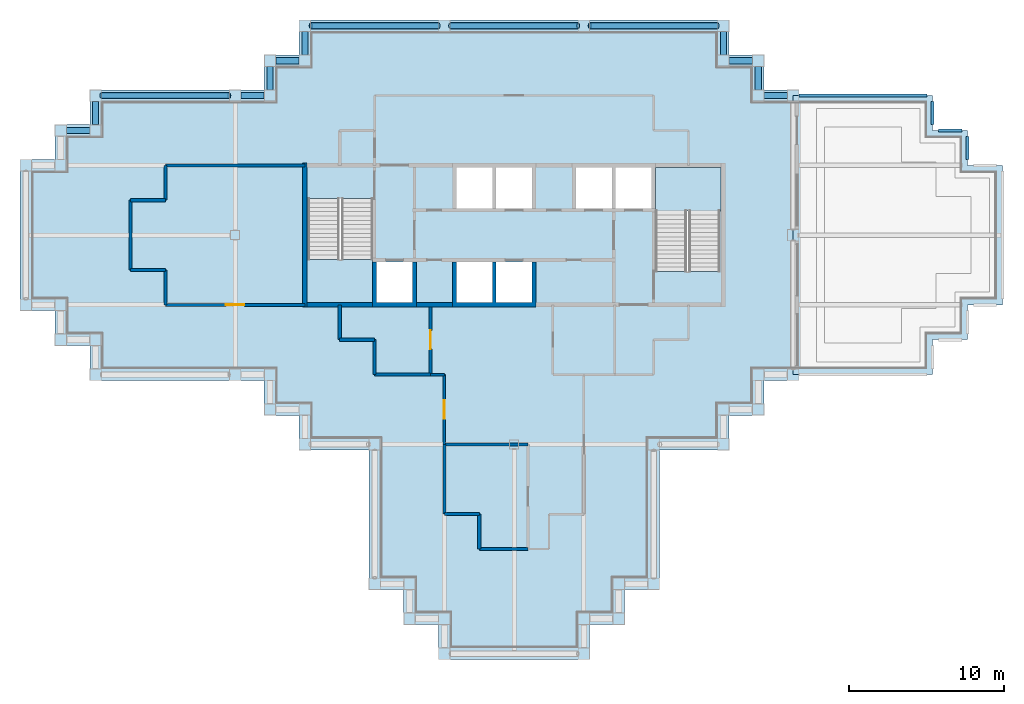
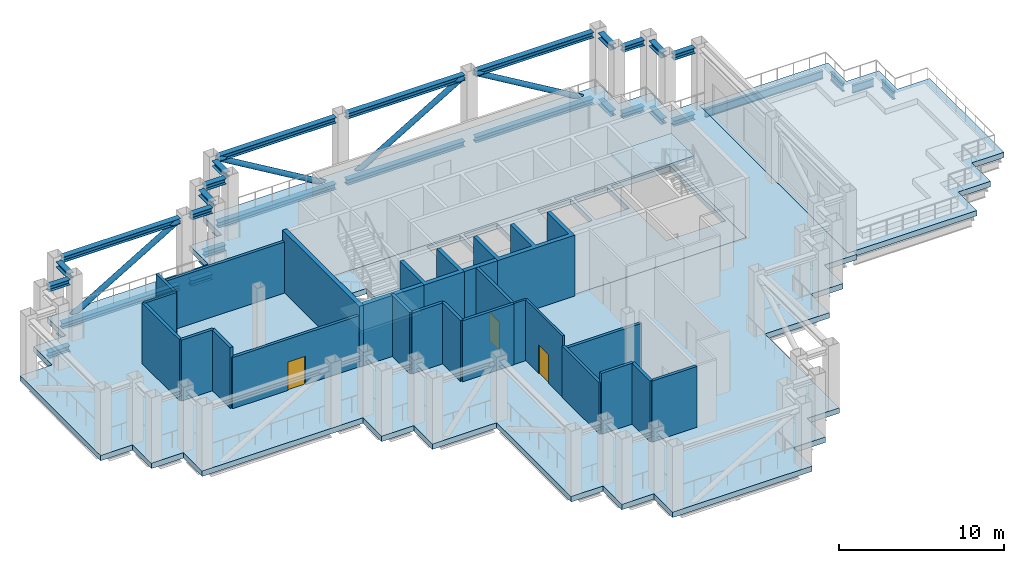
# One storey, part 2 of 10: 32 beams, 24 walls, 5 slabs, 4 members, 3 doors, 3 openings, 2 elements without a shape of their own.
"""IFC4 building model written with IfcOpenShell, lengths in metres."""

from ifc_helpers import new_model, si_unit, direction, frame, frame_2d, origin, origin_2d, place, context, subcontext, project, spatial, polyline, rectangle, hollow_circle, i_section, outline, extrude, material, layer, layer_set, material_profile, profile_set, type_object, element, fill, aggregate, save


model = new_model("IFC4")

# Units and contexts
model_context = context("Model", 3, precision=1e-05, world=origin(), true_north=direction((0.0, 1.0)))
body_context = subcontext(model_context, "Body", "Model", "MODEL_VIEW")
ifc_project = project(units=[si_unit("LENGTHUNIT", "METRE"), si_unit("AREAUNIT", "SQUARE_METRE"), si_unit("VOLUMEUNIT", "CUBIC_METRE"), si_unit("PLANEANGLEUNIT", "RADIAN"), si_unit("MASSUNIT", "GRAM", prefix="KILO")], contexts=[model_context])

# Site, building, storey
site_placement = place(None, origin())
site = spatial("IfcSite", under=ifc_project, at=site_placement, CompositionType="ELEMENT")
building_placement = place(site_placement, origin())
building = spatial("IfcBuilding", under=site, at=building_placement, Name="Caravel Reach Hotel and Residences", CompositionType="ELEMENT")
storey_placement = place(building_placement, frame((0.0, 0.0, 187.60009765625)))
storey = spatial("IfcBuildingStorey", under=building, at=storey_placement, Name="L47", CompositionType="ELEMENT", Elevation=187.60009765625)

# Beams
ifc_material_1 = material(Name="Structural steel Q355B", Category="steel")
ifc_material_profile_1 = material_profile(ifc_material_1, i_section(OverallWidth=0.39990234375, OverallDepth=0.39990234375, WebThickness=0.012939453125, FlangeThickness=0.02099609375, FilletRadius=0.02197265625, at=origin_2d()), Name="HW 400x400x13x21")
ifc_profile_set_1 = profile_set([ifc_material_profile_1], Name="Structural steel Q355B")
beam_type_1 = type_object("IfcBeamType", Name="Beam HW 400x400x13x21", PredefinedType="BEAM", material=ifc_profile_set_1)
for number, where, z_axis, x_axis, name in (
    (1, (49.125, 36.0, -0.60009765625), (-1.0, 0.0, 0.0), (0.0, -1.0, 0.0), "Belt truss BT-L47 bottom chord"),
    (2, (49.125, 36.0, 4.2998046875), (-1.0, 0.0, 0.0), (0.0, -1.0, 0.0), "Belt truss BT-L47 top chord"),
    (3, (47.25, 36.375, -0.60009765625), (0.0, 1.0, 0.0), (-1.0, 0.0, 0.0), "Belt truss BT-L47 bottom chord"),
    (4, (47.25, 36.375, 4.2998046875), (0.0, 1.0, 0.0), (-1.0, 0.0, 0.0), "Belt truss BT-L47 top chord"),
    (5, (46.875, 38.25, -0.60009765625), (-1.0, 0.0, 0.0), (0.0, -1.0, 0.0), "Belt truss BT-L47 bottom chord"),
    (6, (46.875, 38.25, 4.2998046875), (-1.0, 0.0, 0.0), (0.0, -1.0, 0.0), "Belt truss BT-L47 top chord"),
    (7, (45.0, 38.625, -0.60009765625), (0.0, 1.0, 0.0), (-1.0, 0.0, 0.0), "Belt truss BT-L47 bottom chord"),
    (8, (45.0, 38.625, 4.2998046875), (0.0, 1.0, 0.0), (-1.0, 0.0, 0.0), "Belt truss BT-L47 top chord"),
):
    element("IfcBeam", number, at=place(storey_placement, frame(where, z_axis=z_axis, x_axis=x_axis)), inside=storey, type_object=beam_type_1, Name=name, PredefinedType="BEAM", context=body_context, shape_type="SweptSolid", body=[
        extrude(i_section(OverallWidth=0.39990234375, OverallDepth=0.39990234375, WebThickness=0.012939453125, FlangeThickness=0.02099609375, FilletRadius=0.02197265625, at=origin_2d()), origin(), (0.0, 0.0, 1.0), 1.5),
    ])
for number, where, z_axis, x_axis, name in (
    (9, (44.625, 40.5, -0.60009765625), (-1.0, 0.0, 0.0), (0.0, -1.0, 0.0), "Belt truss BT-L47 bottom chord"),
    (10, (44.625, 40.5, 4.2998046875), (-1.0, 0.0, 0.0), (0.0, -1.0, 0.0), "Belt truss BT-L47 top chord"),
    (11, (35.625, 40.5, -0.60009765625), (-1.0, 0.0, 0.0), (0.0, -1.0, 0.0), "Belt truss BT-L47 bottom chord"),
    (12, (35.625, 40.5, 4.2998046875), (-1.0, 0.0, 0.0), (0.0, -1.0, 0.0), "Belt truss BT-L47 top chord"),
    (13, (26.625, 40.5, -0.60009765625), (-1.0, 0.0, 0.0), (0.0, -1.0, 0.0), "Belt truss BT-L47 bottom chord"),
    (14, (26.625, 40.5, 4.2998046875), (-1.0, 0.0, 0.0), (0.0, -1.0, 0.0), "Belt truss BT-L47 top chord"),
):
    element("IfcBeam", number, at=place(storey_placement, frame(where, z_axis=z_axis, x_axis=x_axis)), inside=storey, type_object=beam_type_1, Name=name, PredefinedType="BEAM", context=body_context, shape_type="SweptSolid", body=[
        extrude(i_section(OverallWidth=0.39990234375, OverallDepth=0.39990234375, WebThickness=0.012939453125, FlangeThickness=0.02099609375, FilletRadius=0.02197265625, at=origin_2d()), origin(), (0.0, 0.0, 1.0), 8.25),
    ])
for number, where, z_axis, x_axis, name in (
    (15, (18.0, 40.125, -0.60009765625), (0.0, -1.0, 0.0), (1.0, 0.0, 0.0), "Belt truss BT-L47 bottom chord"),
    (16, (18.0, 40.125, 4.2998046875), (0.0, -1.0, 0.0), (1.0, 0.0, 0.0), "Belt truss BT-L47 top chord"),
    (17, (17.625, 38.25, -0.60009765625), (-1.0, 0.0, 0.0), (0.0, -1.0, 0.0), "Belt truss BT-L47 bottom chord"),
    (18, (17.625, 38.25, 4.2998046875), (-1.0, 0.0, 0.0), (0.0, -1.0, 0.0), "Belt truss BT-L47 top chord"),
    (19, (15.75, 37.875, -0.60009765625), (0.0, -1.0, 0.0), (1.0, 0.0, 0.0), "Belt truss BT-L47 bottom chord"),
    (20, (15.75, 37.875, 4.2998046875), (0.0, -1.0, 0.0), (1.0, 0.0, 0.0), "Belt truss BT-L47 top chord"),
    (21, (15.375, 36.0, -0.60009765625), (-1.0, 0.0, 0.0), (0.0, -1.0, 0.0), "Belt truss BT-L47 bottom chord"),
    (22, (15.375, 36.0, 4.2998046875), (-1.0, 0.0, 0.0), (0.0, -1.0, 0.0), "Belt truss BT-L47 top chord"),
):
    element("IfcBeam", number, at=place(storey_placement, frame(where, z_axis=z_axis, x_axis=x_axis)), inside=storey, type_object=beam_type_1, Name=name, PredefinedType="BEAM", context=body_context, shape_type="SweptSolid", body=[
        extrude(i_section(OverallWidth=0.39990234375, OverallDepth=0.39990234375, WebThickness=0.012939453125, FlangeThickness=0.02099609375, FilletRadius=0.02197265625, at=origin_2d()), origin(), (0.0, 0.0, 1.0), 1.5),
    ])
for number, where, z_axis, x_axis, name in (
    (23, (13.125, 36.0, -0.60009765625), (-1.0, 0.0, 0.0), (0.0, -1.0, 0.0), "Belt truss BT-L47 bottom chord"),
    (24, (13.125, 36.0, 4.2998046875), (-1.0, 0.0, 0.0), (0.0, -1.0, 0.0), "Belt truss BT-L47 top chord"),
):
    element("IfcBeam", number, at=place(storey_placement, frame(where, z_axis=z_axis, x_axis=x_axis)), inside=storey, type_object=beam_type_1, Name=name, PredefinedType="BEAM", context=body_context, shape_type="SweptSolid", body=[
        extrude(i_section(OverallWidth=0.39990234375, OverallDepth=0.39990234375, WebThickness=0.012939453125, FlangeThickness=0.02099609375, FilletRadius=0.02197265625, at=origin_2d()), origin(), (0.0, 0.0, 1.0), 8.25),
    ])
for number, where, z_axis, x_axis, name in (
    (25, (4.5, 35.625, -0.60009765625), (0.0, -1.0, 0.0), (1.0, 0.0, 0.0), "Belt truss BT-L47 bottom chord"),
    (26, (4.5, 35.625, 4.2998046875), (0.0, -1.0, 0.0), (1.0, 0.0, 0.0), "Belt truss BT-L47 top chord"),
    (27, (4.125, 33.75, -0.60009765625), (-1.0, 0.0, 0.0), (0.0, -1.0, 0.0), "Belt truss BT-L47 bottom chord"),
    (28, (4.125, 33.75, 4.2998046875), (-1.0, 0.0, 0.0), (0.0, -1.0, 0.0), "Belt truss BT-L47 top chord"),
):
    element("IfcBeam", number, at=place(storey_placement, frame(where, z_axis=z_axis, x_axis=x_axis)), inside=storey, type_object=beam_type_1, Name=name, PredefinedType="BEAM", context=body_context, shape_type="SweptSolid", body=[
        extrude(i_section(OverallWidth=0.39990234375, OverallDepth=0.39990234375, WebThickness=0.012939453125, FlangeThickness=0.02099609375, FilletRadius=0.02197265625, at=origin_2d()), origin(), (0.0, 0.0, 1.0), 1.5),
    ])

# Members
ifc_material_2 = material(Name="Structural steel Q390B", Category="steel")
ifc_material_profile_2 = material_profile(ifc_material_2, hollow_circle(Radius=0.1884765625, WallThickness=0.013916015625, at=origin_2d()), Name="CHS 377x14")
ifc_profile_set_2 = profile_set([ifc_material_profile_2], Name="Structural steel Q390B")
member_type = type_object("IfcMemberType", Name="Brace CHS 377x14", PredefinedType="BRACE", material=ifc_profile_set_2)
for number, where, z_axis, x_axis, name in (
    (29, (44.625, 40.5, -0.60009765625), (-0.859787719832, 0.0, 0.510651619822), (0.0, -1.0, 0.0), "Belt truss BT-L47 diagonal"),
    (30, (27.375, 40.5, -0.60009765625), (0.859787719832, 0.0, 0.510651619822), (0.0, 1.0, 0.0), "Belt truss BT-L47 diagonal"),
    (31, (26.625, 40.5, -0.60009765625), (-0.859787719832, 0.0, 0.510651619822), (0.0, -1.0, 0.0), "Belt truss BT-L47 diagonal"),
    (32, (4.875, 36.0, -0.60009765625), (0.859787719832, 0.0, 0.510651619822), (0.0, 1.0, 0.0), "Belt truss BT-L47 diagonal"),
):
    element("IfcMember", number, at=place(storey_placement, frame(where, z_axis=z_axis, x_axis=x_axis)), inside=storey, type_object=member_type, Name=name, PredefinedType="BRACE", context=body_context, shape_type="SweptSolid", body=[
        extrude(hollow_circle(Radius=0.1884765625, WallThickness=0.013916015625, at=origin_2d()), origin(), (0.0, 0.0, 1.0), 9.595458984375),
    ])

# Beams
ifc_material_3 = material(Name="Structural steel Q355B", Category="steel")
ifc_material_profile_3 = material_profile(ifc_material_3, i_section(OverallWidth=0.199951171875, OverallDepth=0.60009765625, WebThickness=0.010986328125, FlangeThickness=0.01708984375, FilletRadius=0.012939453125, at=origin_2d()), Name="HN 600x200x11x17")
ifc_profile_set_3 = profile_set([ifc_material_profile_3], Name="Structural steel Q355B")
beam_type_2 = type_object("IfcBeamType", Name="Edge beam HN 600x200x11x17", PredefinedType="USERDEFINED", material=ifc_profile_set_3)
beam_placement = place(storey_placement, frame((58.125, 36.0, -0.7001953125), z_axis=(-1.0, 0.0, 0.0), x_axis=(0.0, -1.0, 0.0)))
element("IfcBeam", 33, at=beam_placement, inside=storey, type_object=beam_type_2, Name="EB1 HN 600x200x11x17", ObjectType="Edge beam", PredefinedType="USERDEFINED", context=body_context, shape_type="SweptSolid", body=[
    extrude(i_section(OverallWidth=0.199951171875, OverallDepth=0.60009765625, WebThickness=0.010986328125, FlangeThickness=0.01708984375, FilletRadius=0.012939453125, at=origin_2d()), origin(), (0.0, 0.0, 1.0), 8.25),
])
for number, where, z_axis, x_axis, name in (
    (34, (60.75, 31.875, -0.7001953125), (0.0, 1.0, 0.0), (-1.0, 0.0, 0.0), "EB1 HN 600x200x11x17"),
    (35, (60.375, 33.75, -0.7001953125), (-1.0, 0.0, 0.0), (0.0, -1.0, 0.0), "EB1 HN 600x200x11x17"),
    (36, (58.5, 34.125, -0.7001953125), (0.0, 1.0, 0.0), (-1.0, 0.0, 0.0), "EB1 HN 600x200x11x17"),
):
    element("IfcBeam", number, at=place(storey_placement, frame(where, z_axis=z_axis, x_axis=x_axis)), inside=storey, type_object=beam_type_2, Name=name, ObjectType="Edge beam", PredefinedType="USERDEFINED", context=body_context, shape_type="SweptSolid", body=[
        extrude(i_section(OverallWidth=0.199951171875, OverallDepth=0.60009765625, WebThickness=0.010986328125, FlangeThickness=0.01708984375, FilletRadius=0.012939453125, at=origin_2d()), origin(), (0.0, 0.0, 1.0), 1.5),
    ])

# Slab
ifc_material_4 = material(Name="Concrete C40", Category="concrete")
ifc_layer_1 = layer(ifc_material_4, 0.39990234375)
ifc_layer_set_1 = layer_set([ifc_layer_1], Name="Core floor slab 400 mm")
slab_type_1 = type_object("IfcSlabType", Name="Core floor slab 400 mm", PredefinedType="FLOOR", material=ifc_layer_set_1)
slab_1_placement = place(storey_placement, frame((0.0, 0.0, -0.400146484375)))
element("IfcSlab", 37, at=slab_1_placement, inside=storey, type_object=slab_type_1, Name="L47 core floor", PredefinedType="FLOOR", context=body_context, shape_type="SweptSolid", body=[
    extrude(outline(polyline([(18.0, 31.5), (45.0, 31.5), (45.0, 22.5), (18.0, 22.5), (18.0, 31.5)]), holes=[polyline([(22.625, 25.27490234375), (22.625, 22.64990234375), (24.9462890625, 22.64990234375), (24.9462890625, 25.27490234375), (22.625, 25.27490234375)]), polyline([(27.767822265625, 25.27490234375), (27.767822265625, 22.64990234375), (30.08935546875, 22.64990234375), (30.08935546875, 25.27490234375), (27.767822265625, 25.27490234375)]), polyline([(30.33935546875, 25.27490234375), (30.33935546875, 22.64990234375), (32.66064453125, 22.64990234375), (32.66064453125, 25.27490234375), (30.33935546875, 25.27490234375)]), polyline([(22.375, 22.64990234375), (22.375, 29.35009765625), (18.22509765625, 29.35009765625), (18.22509765625, 22.64990234375), (22.375, 22.64990234375)]), polyline([(40.625, 31.35009765625), (40.625, 24.64990234375), (44.77490234375, 24.64990234375), (44.77490234375, 31.35009765625), (40.625, 31.35009765625)]), polyline([(27.767822265625, 31.35009765625), (27.767822265625, 28.72509765625), (30.08935546875, 28.72509765625), (30.08935546875, 31.35009765625), (27.767822265625, 31.35009765625)]), polyline([(30.33935546875, 31.35009765625), (30.33935546875, 28.72509765625), (32.66064453125, 28.72509765625), (32.66064453125, 31.35009765625), (30.33935546875, 31.35009765625)]), polyline([(37.8037109375, 31.35009765625), (35.482177734375, 31.35009765625), (35.482177734375, 28.72509765625), (37.8037109375, 28.72509765625), (37.8037109375, 31.35009765625)]), polyline([(40.375, 31.35009765625), (38.0537109375, 31.35009765625), (38.0537109375, 28.72509765625), (40.375, 28.72509765625), (40.375, 31.35009765625)])]), origin(), (0.0, 0.0, 1.0), 0.400146484375),
])

# Stair, slab
ifc_material_5 = material(Name="Concrete C40", Category="concrete")
stair_type = type_object("IfcStairType", Name="Core stair", PredefinedType="HALF_TURN_STAIR", material=ifc_material_5)
stair_1_placement = place(storey_placement, origin())
stair_1 = element("IfcStair", 38, at=stair_1_placement, inside=storey, type_object=stair_type, Name="L47 Exit stair A", PredefinedType="HALF_TURN_STAIR")
ifc_material_6 = material(Name="Concrete C40", Category="concrete")
ifc_layer_2 = layer(ifc_material_6, 0.199951171875)
ifc_layer_set_2 = layer_set([ifc_layer_2], Name="Core stair landing")
slab_type_2 = type_object("IfcSlabType", Name="Core stair landing", PredefinedType="LANDING", material=ifc_layer_set_2)
slab_2_placement = place(storey_placement, frame((0.0, 0.0, 2.199951171875)))
slab_2 = element("IfcSlab", 39, at=slab_2_placement, type_object=slab_type_2, Name="ST-A landing 1", PredefinedType="LANDING", context=body_context, shape_type="SweptSolid", body=[
    extrude(outline(polyline([(18.14990234375, 25.429931640625), (18.14990234375, 22.64990234375), (22.375, 22.64990234375), (22.375, 25.429931640625), (18.14990234375, 25.429931640625)])), origin(), (0.0, 0.0, 1.0), 0.199951171875),
])
aggregate(stair_1, [slab_2])

stair_2_placement = place(storey_placement, origin())
stair_2 = element("IfcStair", 40, at=stair_2_placement, inside=storey, type_object=stair_type, Name="L47 Exit stair B", PredefinedType="HALF_TURN_STAIR")
slab_3_placement = place(storey_placement, frame((0.0, 0.0, 2.199951171875)))
slab_3 = element("IfcSlab", 41, at=slab_3_placement, type_object=slab_type_2, Name="ST-B landing 1", PredefinedType="LANDING", context=body_context, shape_type="SweptSolid", body=[
    extrude(outline(polyline([(44.85009765625, 28.570068359375), (44.85009765625, 31.35009765625), (40.625, 31.35009765625), (40.625, 28.570068359375), (44.85009765625, 28.570068359375)])), origin(), (0.0, 0.0, 1.0), 0.199951171875),
])
aggregate(stair_2, [slab_3])

# Slabs
ifc_material_7 = material(Name="Concrete C40 post-tensioned", Category="concrete")
ifc_layer_3 = layer(ifc_material_7, 0.39990234375)
ifc_layer_set_3 = layer_set([ifc_layer_3], Name="Floor slab 400")
slab_type_3 = type_object("IfcSlabType", Name="Floor slab 400", PredefinedType="FLOOR", material=ifc_layer_set_3)
slab_4_placement = place(storey_placement, frame((0.0, 0.0, -0.400146484375)))
element("IfcSlab", 42, at=slab_4_placement, inside=storey, type_object=slab_type_3, Name="S4 slab L47", PredefinedType="FLOOR", context=body_context, shape_type="SweptSolid", body=[
    extrude(outline(polyline([(49.875, 18.0), (49.875, 17.625), (47.625, 17.625), (47.625, 15.375), (45.375, 15.375), (45.375, 13.125), (40.875, 13.125), (40.875, 4.125), (38.625, 4.125), (38.625, 1.875), (36.375, 1.875), (36.375, -0.375), (26.625, -0.375), (26.625, 1.875), (24.375, 1.875), (24.375, 4.125), (22.125, 4.125), (22.125, 13.125), (17.625, 13.125), (17.625, 15.375), (15.375, 15.375), (15.375, 17.625), (4.125, 17.625), (4.125, 19.875), (1.875, 19.875), (1.875, 22.125), (-0.375, 22.125), (-0.375, 31.875), (1.875, 31.875), (1.875, 34.125), (4.125, 34.125), (4.125, 36.375), (15.375, 36.375), (15.375, 38.625), (17.625, 38.625), (17.625, 40.875), (45.375, 40.875), (45.375, 38.625), (47.625, 38.625), (47.625, 36.375), (49.875, 36.375), (49.875, 36.0), (49.5, 36.0), (49.5, 18.0), (49.875, 18.0)]), holes=[polyline([(45.0, 31.5), (18.0, 31.5), (18.0, 22.5), (45.0, 22.5), (45.0, 31.5)])]), origin(), (0.0, 0.0, 1.0), 0.400146484375),
])
ifc_material_8 = material(Name="Concrete C40", Category="concrete")
ifc_layer_4 = layer(ifc_material_8, 0.39990234375)
ifc_layer_set_4 = layer_set([ifc_layer_4], Name="Roof terrace slab 400")
slab_type_4 = type_object("IfcSlabType", Name="Roof terrace slab 400", PredefinedType="ROOF", material=ifc_layer_set_4)
slab_5_placement = place(storey_placement, frame((0.0, 0.0, -0.400146484375)))
element("IfcSlab", 43, at=slab_5_placement, inside=storey, type_object=slab_type_4, Name="terrace slab E", PredefinedType="ROOF", context=body_context, shape_type="SweptSolid", body=[
    extrude(outline(polyline([(58.5, 36.0), (58.5, 33.75), (60.75, 33.75), (60.75, 31.5), (63.0, 31.5), (63.0, 22.5), (60.75, 22.5), (60.75, 20.25), (58.5, 20.25), (58.5, 18.0), (49.5, 18.0), (49.5, 36.0), (58.5, 36.0)])), origin(), (0.0, 0.0, 1.0), 0.400146484375),
])

# Walls
ifc_material_9 = material(Name="Autoclaved aerated block wall")
ifc_layer_5 = layer(ifc_material_9, 0.199951171875)
ifc_layer_set_5 = layer_set([ifc_layer_5], Name="Compartment wall 200 mm EI 120")
wall_type_1 = type_object("IfcWallType", Name="Compartment wall 200 mm EI 120", PredefinedType="PARTITIONING", material=ifc_layer_set_5)
wall_1_placement = place(storey_placement, frame((27.0, 13.5, 0.0), z_axis=(0.0, 0.0, 1.0), x_axis=(1.0, 0.0, 0.0)))
element("IfcWall", 44, at=wall_1_placement, inside=storey, type_object=wall_type_1, Name="L47 wall w020", PredefinedType="PARTITIONING", context=body_context, shape_type="SweptSolid", body=[
    extrude(rectangle(XDim=5.39990234375, YDim=0.199951171875, at=frame_2d((2.699951171875, 0.0))), origin(), (0.0, 0.0, 1.0), 3.579833984375),
])
wall_2_placement = place(storey_placement, frame((22.5, 18.0, 0.0), z_axis=(0.0, 0.0, 1.0), x_axis=(1.0, 0.0, 0.0)))
element("IfcWall", 45, at=wall_2_placement, inside=storey, type_object=wall_type_1, Name="L47 wall w021", PredefinedType="PARTITIONING", context=body_context, shape_type="SweptSolid", body=[
    extrude(rectangle(XDim=3.60009765625, YDim=0.199951171875, at=frame_2d((1.800048828125, 0.0))), origin(), (0.0, 0.0, 1.0), 4.5),
])
wall_3_placement = place(storey_placement, frame((20.25, 20.25, 0.0), z_axis=(0.0, 0.0, 1.0), x_axis=(1.0, 0.0, 0.0)))
element("IfcWall", 46, at=wall_3_placement, inside=storey, type_object=wall_type_1, Name="L47 wall w022", PredefinedType="PARTITIONING", context=body_context, shape_type="SweptSolid", body=[
    extrude(rectangle(XDim=2.25, YDim=0.199951171875, at=frame_2d((1.125, 0.0))), origin(), (0.0, 0.0, 1.0), 4.5),
])

# Wall, opening, door
wall_4_placement = place(storey_placement, frame((9.0, 22.5, 0.0), z_axis=(0.0, 0.0, 1.0), x_axis=(1.0, 0.0, 0.0)))
wall_4 = element("IfcWall", 47, at=wall_4_placement, inside=storey, type_object=wall_type_1, Name="L47 wall w023", PredefinedType="PARTITIONING", context=body_context, shape_type="SweptSolid", body=[
    extrude(rectangle(XDim=9.0, YDim=0.199951171875, at=frame_2d((4.5, 0.0))), origin(), (0.0, 0.0, 1.0), 3.77978515625),
])
opening_1_placement = place(wall_4_placement, frame((3.89990234375, 0.0, 0.0)))
opening_1 = element("IfcOpeningElement", 48, at=opening_1_placement, cuts=wall_4, Name="Opening D47-020", PredefinedType="OPENING", context=body_context, shape_type="SweptSolid", body=[
    extrude(rectangle(XDim=1.199951171875, YDim=2.10009765625, at=frame_2d((0.60009765625, 1.050048828125))), frame((0.0, 0.10986328125, 0.0), z_axis=(0.0, -1.0, 0.0), x_axis=(1.0, 0.0, 0.0)), (0.0, 0.0, 1.0), 0.219970703125),
])
ifc_material_10 = material(Name="Steel fire door leaf", Category="steel")
door_type_1 = type_object("IfcDoorType", Name="Plant room door 1200 x 2100 EI 60", OperationType="SINGLE_SWING_LEFT", PredefinedType="DOOR", material=ifc_material_10)
door_1_placement = place(opening_1_placement, origin())
door_1 = element("IfcDoor", 49, at=door_1_placement, inside=storey, type_object=door_type_1, Name="door D47-020", OperationType="SINGLE_SWING_RIGHT", OverallHeight=2.10009765625, OverallWidth=1.199951171875, PredefinedType="DOOR", context=body_context, shape_type="SweptSolid", body=[
    extrude(rectangle(XDim=1.199951171875, YDim=2.10009765625, at=frame_2d((0.60009765625, 1.050048828125))), frame((0.0, 0.02490234375, 0.0), z_axis=(0.0, -1.0, 0.0), x_axis=(1.0, 0.0, 0.0)), (0.0, 0.0, 1.0), 0.050048828125),
])
fill(opening_1, door_1)

# Walls
for number, where, z_axis, x_axis, name in (
    (50, (6.75, 24.75, 0.0), (0.0, 0.0, 1.0), (1.0, 0.0, 0.0), "L47 wall w024"),
    (51, (6.75, 29.25, 0.0), (0.0, 0.0, 1.0), (1.0, 0.0, 0.0), "L47 wall w025"),
):
    element("IfcWall", number, at=place(storey_placement, frame(where, z_axis=z_axis, x_axis=x_axis)), inside=storey, type_object=wall_type_1, Name=name, PredefinedType="PARTITIONING", context=body_context, shape_type="SweptSolid", body=[
        extrude(rectangle(XDim=2.25, YDim=0.199951171875, at=frame_2d((1.125, 0.0))), origin(), (0.0, 0.0, 1.0), 4.5),
    ])
wall_5_placement = place(storey_placement, frame((9.0, 31.5, 0.0), z_axis=(0.0, 0.0, 1.0), x_axis=(1.0, 0.0, 0.0)))
element("IfcWall", 52, at=wall_5_placement, inside=storey, type_object=wall_type_1, Name="L47 wall w026", PredefinedType="PARTITIONING", context=body_context, shape_type="SweptSolid", body=[
    extrude(rectangle(XDim=9.0, YDim=0.199951171875, at=frame_2d((4.5, 0.0))), origin(), (0.0, 0.0, 1.0), 3.77978515625),
])
wall_6_placement = place(storey_placement, frame((29.25, 6.75, 0.0), z_axis=(0.0, 0.0, 1.0), x_axis=(1.0, 0.0, 0.0)))
element("IfcWall", 53, at=wall_6_placement, inside=storey, type_object=wall_type_1, Name="L47 wall w028", PredefinedType="PARTITIONING", context=body_context, shape_type="SweptSolid", body=[
    extrude(rectangle(XDim=3.14990234375, YDim=0.199951171875, at=frame_2d((1.574951171875, 0.0))), origin(), (0.0, 0.0, 1.0), 4.5),
])
for number, where, z_axis, x_axis, name in (
    (54, (27.0, 9.0, 0.0), (0.0, 0.0, 1.0), (1.0, 0.0, 0.0), "L47 wall w029"),
    (55, (20.25, 20.25, 0.0), (0.0, 0.0, 1.0), (0.0, 1.0, 0.0), "L47 wall w030"),
    (56, (22.5, 18.0, 0.0), (0.0, 0.0, 1.0), (0.0, 1.0, 0.0), "L47 wall w032"),
):
    element("IfcWall", number, at=place(storey_placement, frame(where, z_axis=z_axis, x_axis=x_axis)), inside=storey, type_object=wall_type_1, Name=name, PredefinedType="PARTITIONING", context=body_context, shape_type="SweptSolid", body=[
        extrude(rectangle(XDim=2.25, YDim=0.199951171875, at=frame_2d((1.125, 0.0))), origin(), (0.0, 0.0, 1.0), 4.5),
    ])

# Wall, opening, door
wall_7_placement = place(storey_placement, frame((26.10009765625, 18.0, 0.0), z_axis=(0.0, 0.0, 1.0), x_axis=(0.0, 1.0, 0.0)))
wall_7 = element("IfcWall", 57, at=wall_7_placement, inside=storey, type_object=wall_type_1, Name="L47 wall w034", PredefinedType="PARTITIONING", context=body_context, shape_type="SweptSolid", body=[
    extrude(rectangle(XDim=4.5, YDim=0.199951171875, at=frame_2d((2.25, 0.0))), origin(), (0.0, 0.0, 1.0), 4.5),
])
opening_2_placement = place(wall_7_placement, frame((1.64990234375, 0.0, 0.0)))
opening_2 = element("IfcOpeningElement", 58, at=opening_2_placement, cuts=wall_7, Name="Opening D47-016", PredefinedType="OPENING", context=body_context, shape_type="SweptSolid", body=[
    extrude(rectangle(XDim=1.199951171875, YDim=2.10009765625, at=frame_2d((0.60009765625, 1.050048828125))), frame((0.0, 0.10986328125, 0.0), z_axis=(0.0, -1.0, 0.0), x_axis=(1.0, 0.0, 0.0)), (0.0, 0.0, 1.0), 0.219970703125),
])
door_2_placement = place(opening_2_placement, origin())
door_2 = element("IfcDoor", 59, at=door_2_placement, inside=storey, type_object=door_type_1, Name="door D47-016", OperationType="SINGLE_SWING_RIGHT", OverallHeight=2.10009765625, OverallWidth=1.199951171875, PredefinedType="DOOR", context=body_context, shape_type="SweptSolid", body=[
    extrude(rectangle(XDim=1.199951171875, YDim=2.10009765625, at=frame_2d((0.60009765625, 1.050048828125))), frame((0.0, 0.02490234375, 0.0), z_axis=(0.0, -1.0, 0.0), x_axis=(1.0, 0.0, 0.0)), (0.0, 0.0, 1.0), 0.050048828125),
])
fill(opening_2, door_2)

# Walls
wall_8_placement = place(storey_placement, frame((27.0, 9.0, 0.0), z_axis=(0.0, 0.0, 1.0), x_axis=(0.0, 1.0, 0.0)))
element("IfcWall", 60, at=wall_8_placement, inside=storey, type_object=wall_type_1, Name="L47 wall w035", PredefinedType="PARTITIONING", context=body_context, shape_type="SweptSolid", body=[
    extrude(rectangle(XDim=4.5, YDim=0.199951171875, at=frame_2d((2.25, 0.0))), origin(), (0.0, 0.0, 1.0), 3.77978515625),
])
wall_9_placement = place(storey_placement, frame((29.25, 6.75, 0.0), z_axis=(0.0, 0.0, 1.0), x_axis=(0.0, 1.0, 0.0)))
element("IfcWall", 61, at=wall_9_placement, inside=storey, type_object=wall_type_1, Name="L47 wall w036", PredefinedType="PARTITIONING", context=body_context, shape_type="SweptSolid", body=[
    extrude(rectangle(XDim=2.25, YDim=0.199951171875, at=frame_2d((1.125, 0.0))), origin(), (0.0, 0.0, 1.0), 4.5),
])
wall_10_placement = place(storey_placement, frame((6.75, 24.75, 0.0), z_axis=(0.0, 0.0, 1.0), x_axis=(0.0, 1.0, 0.0)))
element("IfcWall", 62, at=wall_10_placement, inside=storey, type_object=wall_type_1, Name="L47 wall w038", PredefinedType="PARTITIONING", context=body_context, shape_type="SweptSolid", body=[
    extrude(rectangle(XDim=4.5, YDim=0.199951171875, at=frame_2d((2.25, 0.0))), origin(), (0.0, 0.0, 1.0), 4.5),
])
for number, where, z_axis, x_axis, name in (
    (63, (9.0, 22.5, 0.0), (0.0, 0.0, 1.0), (0.0, 1.0, 0.0), "L47 wall w039"),
    (64, (9.0, 29.25, 0.0), (0.0, 0.0, 1.0), (0.0, 1.0, 0.0), "L47 wall w040"),
):
    element("IfcWall", number, at=place(storey_placement, frame(where, z_axis=z_axis, x_axis=x_axis)), inside=storey, type_object=wall_type_1, Name=name, PredefinedType="PARTITIONING", context=body_context, shape_type="SweptSolid", body=[
        extrude(rectangle(XDim=2.25, YDim=0.199951171875, at=frame_2d((1.125, 0.0))), origin(), (0.0, 0.0, 1.0), 4.5),
    ])
ifc_material_11 = material(Name="Concrete C60", Category="concrete")
ifc_layer_6 = layer(ifc_material_11, 0.300048828125)
ifc_layer_set_6 = layer_set([ifc_layer_6], Name="Core wall 300 mm EI 120")
wall_type_2 = type_object("IfcWallType", Name="Core wall 300 mm EI 120", PredefinedType="SHEAR", material=ifc_layer_set_6)
wall_11_placement = place(storey_placement, frame((18.14990234375, 22.5, 0.0), z_axis=(0.0, 0.0, 1.0), x_axis=(1.0, 0.0, 0.0)))
element("IfcWall", 65, at=wall_11_placement, inside=storey, type_object=wall_type_2, Name="L47 core wall S1", PredefinedType="SHEAR", context=body_context, shape_type="SweptSolid", body=[
    extrude(rectangle(XDim=4.22509765625, YDim=0.300048828125, at=frame_2d((2.112548828125, 0.0))), origin(), (0.0, 0.0, 1.0), 4.5),
])
wall_12_placement = place(storey_placement, frame((25.196533203125, 22.5, 0.0), z_axis=(0.0, 0.0, 1.0), x_axis=(1.0, 0.0, 0.0)))
element("IfcWall", 66, at=wall_12_placement, inside=storey, type_object=wall_type_2, Name="L47 core wall S2", PredefinedType="SHEAR", context=body_context, shape_type="SweptSolid", body=[
    extrude(rectangle(XDim=2.3212890625, YDim=0.300048828125, at=frame_2d((1.16064453125, 0.0))), origin(), (0.0, 0.0, 1.0), 4.5),
])
wall_13_placement = place(storey_placement, frame((18.0, 22.35009765625, 0.0), z_axis=(0.0, 0.0, 1.0), x_axis=(0.0, 1.0, 0.0)))
element("IfcWall", 67, at=wall_13_placement, inside=storey, type_object=wall_type_2, Name="L47 core wall W", PredefinedType="SHEAR", context=body_context, shape_type="SweptSolid", body=[
    extrude(rectangle(XDim=9.2998046875, YDim=0.300048828125, at=frame_2d((4.64990234375, 0.0))), origin(), (0.0, 0.0, 1.0), 4.5),
])
ifc_material_12 = material(Name="Gypsum board on steel stud, fire-rated", Category="steel")
ifc_layer_7 = layer(ifc_material_12, 0.14990234375)
ifc_layer_set_7 = layer_set([ifc_layer_7], Name="Corridor wall 150 mm EI 60")
wall_type_3 = type_object("IfcWallType", Name="Corridor wall 150 mm EI 60", PredefinedType="PARTITIONING", material=ifc_layer_set_7)
wall_14_placement = place(storey_placement, frame((26.10009765625, 18.0, 0.0), z_axis=(0.0, 0.0, 1.0), x_axis=(1.0, 0.0, 0.0)))
element("IfcWall", 68, at=wall_14_placement, inside=storey, type_object=wall_type_3, Name="L47 wall w001", PredefinedType="PARTITIONING", context=body_context, shape_type="SweptSolid", body=[
    extrude(rectangle(XDim=0.89990234375, YDim=0.14990234375, at=frame_2d((0.449951171875, 0.0))), origin(), (0.0, 0.0, 1.0), 4.5),
])

# Wall, opening, door
wall_15_placement = place(storey_placement, frame((27.0, 13.5, 0.0), z_axis=(0.0, 0.0, 1.0), x_axis=(0.0, 1.0, 0.0)))
wall_15 = element("IfcWall", 69, at=wall_15_placement, inside=storey, type_object=wall_type_3, Name="L47 wall w011", PredefinedType="PARTITIONING", context=body_context, shape_type="SweptSolid", body=[
    extrude(rectangle(XDim=4.5, YDim=0.14990234375, at=frame_2d((2.25, 0.0))), origin(), (0.0, 0.0, 1.0), 4.5),
])
opening_3_placement = place(wall_15_placement, frame((1.64990234375, 0.0, 0.0)))
opening_3 = element("IfcOpeningElement", 70, at=opening_3_placement, cuts=wall_15, Name="Opening D47-022", PredefinedType="OPENING", context=body_context, shape_type="SweptSolid", body=[
    extrude(rectangle(XDim=1.199951171875, YDim=2.10009765625, at=frame_2d((0.60009765625, 1.050048828125))), frame((0.0, 0.0849609375, 0.0), z_axis=(0.0, -1.0, 0.0), x_axis=(1.0, 0.0, 0.0)), (0.0, 0.0, 1.0), 0.169921875),
])
ifc_material_13 = material(Name="Steel fire door leaf", Category="steel")
door_type_2 = type_object("IfcDoorType", Name="Refuge hall door 1200 x 2100 EI 60", OperationType="SINGLE_SWING_LEFT", PredefinedType="DOOR", material=ifc_material_13)
door_3_placement = place(opening_3_placement, origin())
door_3 = element("IfcDoor", 71, at=door_3_placement, inside=storey, type_object=door_type_2, Name="door D47-022", OperationType="SINGLE_SWING_RIGHT", OverallHeight=2.10009765625, OverallWidth=1.199951171875, PredefinedType="DOOR", context=body_context, shape_type="SweptSolid", body=[
    extrude(rectangle(XDim=1.199951171875, YDim=2.10009765625, at=frame_2d((0.60009765625, 1.050048828125))), frame((0.0, 0.02490234375, 0.0), z_axis=(0.0, -1.0, 0.0), x_axis=(1.0, 0.0, 0.0)), (0.0, 0.0, 1.0), 0.050048828125),
])
fill(opening_3, door_3)

# Walls
ifc_material_14 = material(Name="Concrete C60", Category="concrete")
ifc_layer_8 = layer(ifc_material_14, 0.25)
ifc_layer_set_8 = layer_set([ifc_layer_8], Name="Shaft wall 250 mm EI 120")
wall_type_4 = type_object("IfcWallType", Name="Shaft wall 250 mm EI 120", PredefinedType="SHEAR", material=ifc_layer_set_8)
wall_16_placement = place(storey_placement, origin())
element("IfcWall", 72, at=wall_16_placement, inside=storey, type_object=wall_type_4, Name="L47 lift shaft wall S1", PredefinedType="SHEAR", context=body_context, shape_type="SweptSolid", body=[
    extrude(outline(polyline([(22.375, 22.35009765625), (25.196533203125, 22.35009765625), (25.196533203125, 25.27490234375), (24.946533203125, 25.27490234375), (24.946533203125, 22.64990234375), (22.625, 22.64990234375), (22.625, 25.27490234375), (22.375, 25.27490234375), (22.375, 22.35009765625)])), origin(), (0.0, 0.0, 1.0), 4.5),
])
wall_17_placement = place(storey_placement, origin())
element("IfcWall", 73, at=wall_17_placement, inside=storey, type_object=wall_type_4, Name="L47 lift shaft wall S2", PredefinedType="SHEAR", context=body_context, shape_type="SweptSolid", body=[
    extrude(outline(polyline([(27.517822265625, 22.35009765625), (32.91064453125, 22.35009765625), (32.91064453125, 25.27490234375), (32.66064453125, 25.27490234375), (32.66064453125, 22.64990234375), (30.33935546875, 22.64990234375), (30.33935546875, 25.27490234375), (30.08935546875, 25.27490234375), (30.08935546875, 22.64990234375), (27.767822265625, 22.64990234375), (27.767822265625, 25.27490234375), (27.517822265625, 25.27490234375), (27.517822265625, 22.35009765625)])), origin(), (0.0, 0.0, 1.0), 4.5),
])

save(model, "model.ifc")
